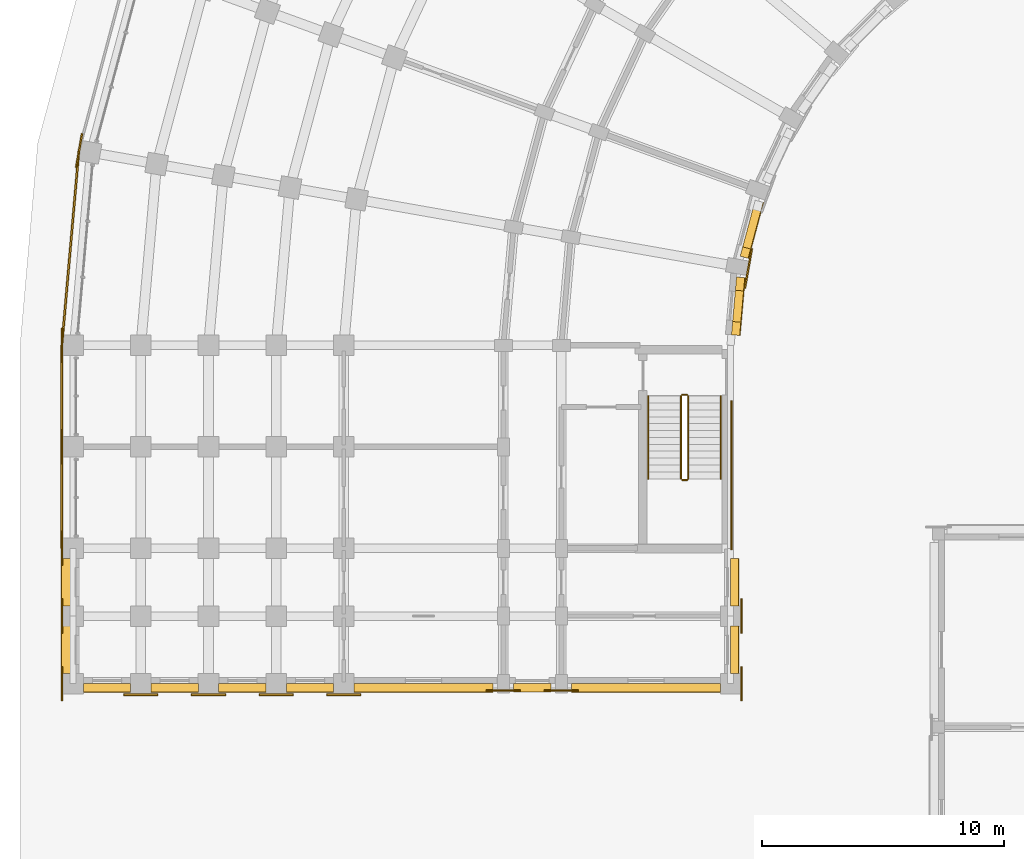
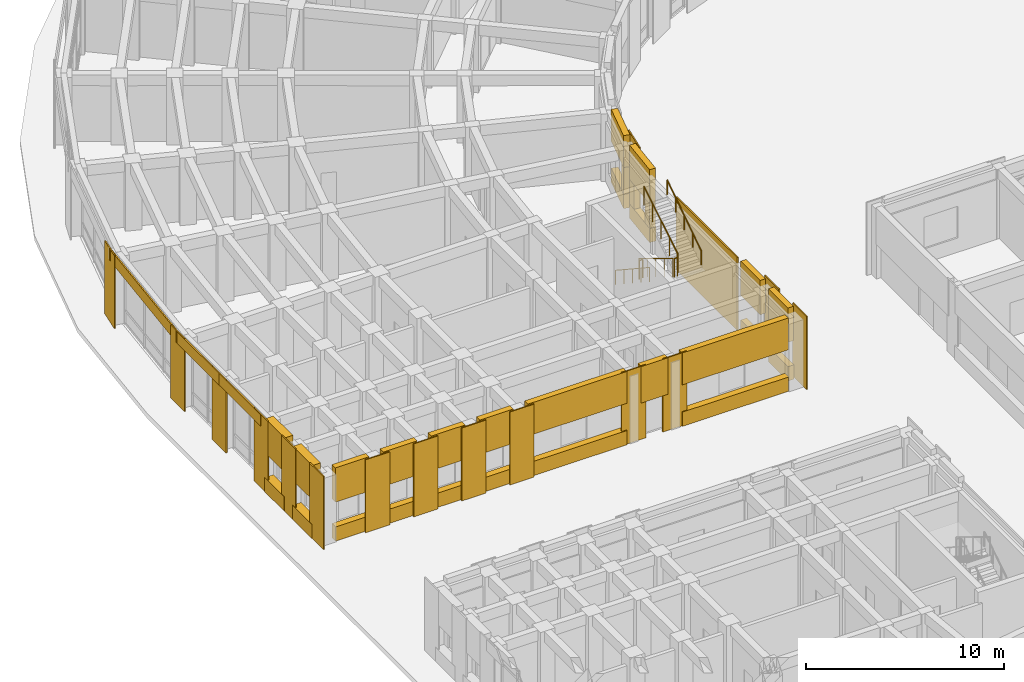
# One storey, part 123 of 135: 47 coverings, 6 railings.
"""IFC4 building model written with IfcOpenShell, lengths in metres."""

import ifcopenshell
import ifcopenshell.guid

model = None  # the IFC model being written
_history = None  # IfcOwnerHistory: only IFC2X3 demands one
_inside = {}  # id of a spatial element -> (the spatial element, [elements in it])
_under = {}  # id of a project, library or spatial element -> (it, [spatial elements below it])
_declared = {}  # id of a project -> (the project, [libraries it declares])
_typed = {}  # id of a type object -> (the type object, [elements of that type])
_made_of = {}  # id of a material, layer set ... -> (it, [elements and type objects made of it])


def new_model(schema):
    """Start an empty IFC model of exactly this schema.

    Asked for "IFC4X3", IfcOpenShell would pick the latest addendum, in which some entities
    have other attributes; the version numbers below select the first issue.
    IFC2X3 requires an IfcOwnerHistory on every rooted entity: one is made here for all.
    """
    global model, _history
    if schema == "IFC4X3":
        model = ifcopenshell.file(schema_version=(4, 3, 0, 0))
    else:
        model = ifcopenshell.file(schema=schema)
    _inside.clear()
    _under.clear()
    _declared.clear()
    _typed.clear()
    _made_of.clear()
    _history = None
    if model.schema == "IFC2X3":
        org = make("IfcOrganization", Name="unknown")
        user = make(
            "IfcPersonAndOrganization",
            ThePerson=make("IfcPerson", FamilyName="unknown"),
            TheOrganization=org,
        )
        app = make(
            "IfcApplication",
            ApplicationDeveloper=org,
            Version="unknown",
            ApplicationFullName="unknown",
            ApplicationIdentifier="unknown",
        )
        _history = make(
            "IfcOwnerHistory",
            OwningUser=user,
            OwningApplication=app,
            ChangeAction="ADDED",
            CreationDate=0,
        )
    return model


def make(cls, **values):
    """One entity of the class cls with the attributes given. An attribute that is None is left unset."""
    return model.create_entity(
        cls, **{name: value for name, value in values.items() if value is not None}
    )


def rooted(cls, **values):
    """An entity with a GlobalId (a new one), such as an element, a storey or a relation."""
    return make(cls, GlobalId=ifcopenshell.guid.new(), OwnerHistory=_history, **values)


def si_unit(unit_type, name, prefix=None):
    """IfcSIUnit, for example si_unit("LENGTHUNIT", "METRE", prefix="MILLI")."""
    return make("IfcSIUnit", UnitType=unit_type, Prefix=prefix, Name=name)


def assignment(units):
    """IfcUnitAssignment: the units of a project."""
    return None if units is None else make("IfcUnitAssignment", Units=units)


def point(xyz):
    """IfcCartesianPoint."""
    return None if xyz is None else make("IfcCartesianPoint", Coordinates=xyz)


def direction(xyz):
    """IfcDirection."""
    return None if xyz is None else make("IfcDirection", DirectionRatios=xyz)


def frame(location, z_axis=None, x_axis=None):
    """IfcAxis2Placement3D, a coordinate frame: its origin and axes. An axis left out is left unset."""
    return make(
        "IfcAxis2Placement3D",
        Location=point(location),
        Axis=direction(z_axis),
        RefDirection=direction(x_axis),
    )


def frame_2d(location, x_axis=None):
    """IfcAxis2Placement2D, a coordinate frame in the plane: its origin and x axis."""
    return make(
        "IfcAxis2Placement2D", Location=point(location), RefDirection=direction(x_axis)
    )


def origin():
    """The frame at (0, 0, 0) with its axes left unset."""
    return frame((0.0, 0.0, 0.0))


def origin_2d():
    """The frame at (0, 0) in the plane with its x axis left unset."""
    return frame_2d((0.0, 0.0))


def place(relative_to, where):
    """IfcLocalPlacement: puts the frame where relative to a parent placement (None: the world)."""
    return make(
        "IfcLocalPlacement", PlacementRelTo=relative_to, RelativePlacement=where
    )


def context(
    kind, dimensions, precision=None, world=None, true_north=None, identifier=None
):
    """IfcGeometricRepresentationContext, for example the 3D "Model" context."""
    return make(
        "IfcGeometricRepresentationContext",
        ContextIdentifier=identifier,
        ContextType=kind,
        CoordinateSpaceDimension=dimensions,
        Precision=precision,
        WorldCoordinateSystem=world,
        TrueNorth=true_north,
    )


def subcontext(parent, identifier, kind, view, scale=None):
    """IfcGeometricRepresentationSubContext, for example "Body" below "Model"."""
    return make(
        "IfcGeometricRepresentationSubContext",
        ContextIdentifier=identifier,
        ContextType=kind,
        ParentContext=parent,
        TargetScale=scale,
        TargetView=view,
    )


def project(units=None, contexts=None):
    """IfcProject with its units and contexts."""
    return rooted(
        "IfcProject",
        Name="project",
        RepresentationContexts=contexts,
        UnitsInContext=assignment(units),
    )


def spatial(cls, under=None, at=None, **own):
    """A site, building, storey or space (cls), placed at a placement, below another one or the project."""
    s = rooted(cls, ObjectPlacement=at, **own)
    if under is not None:
        _under.setdefault(under.id(), (under, []))[1].append(s)
    return s


def polyline(points):
    """IfcPolyline through the points."""
    return make("IfcPolyline", Points=[point(p) for p in points])


def profile(cls, at=None, kind="AREA", **sizes):
    """A parametric profile (cls). Its sizes go by their IFC names, for example OverallWidth=200.0."""
    return make(cls, ProfileType=kind, Position=at, **sizes)


def circle(**sizes):
    """IfcCircleProfileDef."""
    return profile("IfcCircleProfileDef", **sizes)


def outline(outer, holes=None, kind="AREA"):
    """IfcArbitraryClosedProfileDef: a profile drawn as a closed curve; with holes, ...WithVoids."""
    if holes is None:
        return make("IfcArbitraryClosedProfileDef", ProfileType=kind, OuterCurve=outer)
    return make(
        "IfcArbitraryProfileDefWithVoids",
        ProfileType=kind,
        OuterCurve=outer,
        InnerCurves=holes,
    )


def extrude(swept, where, along, depth):
    """IfcExtrudedAreaSolid: the profile swept, set in the frame where, extruded along a direction by depth."""
    return make(
        "IfcExtrudedAreaSolid",
        SweptArea=swept,
        Position=where,
        ExtrudedDirection=direction(along),
        Depth=depth,
    )


def shape(context_of_items, identifier, shape_type, items):
    """IfcShapeRepresentation: the items that make up one representation, for example the "Body"."""
    return make(
        "IfcShapeRepresentation",
        ContextOfItems=context_of_items,
        RepresentationIdentifier=identifier,
        RepresentationType=shape_type,
        Items=items,
    )


def material(Name=None, Category=None):
    """IfcMaterial."""
    return make("IfcMaterial", Name=Name, Category=Category)


def layer(
    of_material, thickness, ventilated=None, Name=None, Category=None, Priority=None
):
    """IfcMaterialLayer: one layer of a wall or slab, of a material (None: an air gap)."""
    return make(
        "IfcMaterialLayer",
        Material=of_material,
        LayerThickness=thickness,
        IsVentilated=ventilated,
        Name=Name,
        Category=Category,
        Priority=Priority,
    )


def layer_set(layers, Name=None):
    """IfcMaterialLayerSet."""
    return make("IfcMaterialLayerSet", MaterialLayers=layers, LayerSetName=Name)


def made_of(thing, what):
    """Note that an element or type object is made of a material, layer set ...; save() writes the relation."""
    if what is not None:
        _made_of.setdefault(what.id(), (what, []))[1].append(thing)
    return thing


def type_object(cls, material=None, **own):
    """A type object (cls), such as IfcWallType, which elements share."""
    return made_of(rooted(cls, **own), material)


def element(
    cls,
    number,
    at=None,
    inside=None,
    cuts=None,
    type_object=None,
    material=None,
    context=None,
    identifier="Body",
    shape_type=None,
    held_by="IfcProductDefinitionShape",
    body=None,
    shapes=None,
    **own,
):
    """One element of the class cls, such as IfcWall. Its Tag is "e" and its number.

    at: its placement. inside: the storey or other place that contains it. cuts: it is an
    opening in that element (IfcRelVoidsElement). A single representation is given by context,
    identifier, shape_type and body (its items); several are given by shapes. held_by: the class
    of the entity that holds the representations. save() writes the other relations.
    """
    e = rooted(cls, Tag="e%d" % number, ObjectPlacement=at, **own)
    if body is not None:
        shapes = [shape(context, identifier, shape_type, body)]
    if shapes is not None:
        e.Representation = make(held_by, Representations=shapes)
    if inside is not None:
        _inside.setdefault(inside.id(), (inside, []))[1].append(e)
    if cuts is not None:
        rooted(
            "IfcRelVoidsElement", RelatingBuildingElement=cuts, RelatedOpeningElement=e
        )
    if type_object is not None:
        _typed.setdefault(type_object.id(), (type_object, []))[1].append(e)
    return made_of(e, material)


def aggregate(whole, parts):
    """IfcRelAggregates: a whole, such as a stair, and the parts it consists of."""
    return rooted("IfcRelAggregates", RelatingObject=whole, RelatedObjects=parts)


def save(model, path):
    """Write the relations noted so far, then the file.

    IfcRelAggregates (storeys below a building ...), IfcRelContainedInSpatialStructure (elements
    in a storey), IfcRelDefinesByType, IfcRelAssociatesMaterial and IfcRelDeclares: one each for
    every whole, place, type object, material and project.
    """
    for whole, parts in _under.values():
        aggregate(whole, parts)
    for where, things in _inside.values():
        rooted(
            "IfcRelContainedInSpatialStructure",
            RelatedElements=things,
            RelatingStructure=where,
        )
    for kind, things in _typed.values():
        rooted("IfcRelDefinesByType", RelatedObjects=things, RelatingType=kind)
    for what, things in _made_of.values():
        rooted("IfcRelAssociatesMaterial", RelatedObjects=things, RelatingMaterial=what)
    for by, libraries in _declared.values():
        rooted("IfcRelDeclares", RelatingContext=by, RelatedDefinitions=libraries)
    model.write(path)


model = new_model("IFC4")

# Units and contexts
model_context = context("Model", 3, precision=1e-05, world=origin(), true_north=direction((0.0, 1.0)))
body_context = subcontext(model_context, "Body", "Model", "MODEL_VIEW")
ifc_project = project(units=[si_unit("LENGTHUNIT", "METRE"), si_unit("AREAUNIT", "SQUARE_METRE"), si_unit("VOLUMEUNIT", "CUBIC_METRE"), si_unit("PLANEANGLEUNIT", "RADIAN"), si_unit("MASSUNIT", "GRAM", prefix="KILO")], contexts=[model_context])

# Site, building, storey
site_placement = place(None, origin())
site = spatial("IfcSite", under=ifc_project, at=site_placement, CompositionType="ELEMENT")
building_placement = place(site_placement, origin())
building = spatial("IfcBuilding", under=site, at=building_placement, Name="Kiranvali Square Residences", CompositionType="ELEMENT")
storey_placement = place(building_placement, origin())
storey = spatial("IfcBuildingStorey", under=building, at=storey_placement, Name="L00", CompositionType="ELEMENT", Elevation=0.0)

# Coverings
ifc_material_1 = material(Name="Honed Porbandar limestone ashlar facade cladding", Category="masonry")
ifc_layer_1 = layer(ifc_material_1, 0.3798828125)
ifc_layer_set_1 = layer_set([ifc_layer_1], Name="Honed Porbandar limestone ashlar facade cladding")
covering_type_1 = type_object("IfcCoveringType", Name="COV-CLAD-JAMB", PredefinedType="CLADDING", material=ifc_layer_set_1)
covering_1_placement = place(storey_placement, frame((0.0, 0.0, 0.8798828125)))
element("IfcCovering", 1, at=covering_1_placement, inside=storey, type_object=covering_type_1, Name="L00 deep limestone window jamb reveal A-L00-GDN-07.R", PredefinedType="CLADDING", context=body_context, shape_type="SweptSolid", body=[
    extrude(outline(polyline([(29.903076171875, 91.87451171875), (29.800048828125, 91.489501953125), (30.1279296875, 91.401611328125), (30.23095703125, 91.78662109375), (29.903076171875, 91.87451171875)])), origin(), (0.0, 0.0, 1.0), 1.650146484375),
])
covering_2_placement = place(storey_placement, frame((0.0, 0.0, 0.8798828125)))
element("IfcCovering", 2, at=covering_2_placement, inside=storey, type_object=covering_type_1, Name="L00 deep limestone window jamb reveal A-L00-GDN-08.L", PredefinedType="CLADDING", context=body_context, shape_type="SweptSolid", body=[
    extrude(outline(polyline([(29.647705078125, 90.626220703125), (29.599853515625, 90.079833984375), (29.938232421875, 90.05029296875), (29.986083984375, 90.5966796875), (29.647705078125, 90.626220703125)])), origin(), (0.0, 0.0, 1.0), 1.5),
])
covering_3_placement = place(storey_placement, frame((0.0, 0.0, 0.8798828125)))
element("IfcCovering", 3, at=covering_3_placement, inside=storey, type_object=covering_type_1, Name="L00 deep limestone window jamb reveal A-L00-GDN-08.R", PredefinedType="CLADDING", context=body_context, shape_type="SweptSolid", body=[
    extrude(outline(polyline([(29.486572265625, 88.78466796875), (29.43896484375, 88.23828125), (29.777099609375, 88.208740234375), (29.824951171875, 88.755126953125), (29.486572265625, 88.78466796875)])), origin(), (0.0, 0.0, 1.0), 1.5),
])
ifc_layer_2 = layer(ifc_material_1, 0.06494140625)
ifc_layer_set_2 = layer_set([ifc_layer_2], Name="Honed Porbandar limestone ashlar facade cladding")
covering_type_2 = type_object("IfcCoveringType", Name="COV-CLAD-PIER", PredefinedType="CLADDING", material=ifc_layer_set_2)
covering_4_placement = place(storey_placement, frame((0.0, 0.0, 0.0048828125)))
element("IfcCovering", 4, at=covering_4_placement, inside=storey, type_object=covering_type_2, Name="Block A L00 Arm 2 stair limestone ashlar cladding", PredefinedType="CLADDING", context=body_context, shape_type="SweptSolid", body=[
    extrude(outline(polyline([(29.402099609375, 85.5), (29.402099609375, 79.35009765625), (29.47998046875, 79.35009765625), (29.47998046875, 85.5), (29.402099609375, 85.5)])), origin(), (0.0, 0.0, 1.0), 4.490234375),
])
ifc_layer_3 = layer(ifc_material_1, 0.050048828125)
ifc_layer_set_3 = layer_set([ifc_layer_3], Name="Honed Porbandar limestone ashlar facade cladding")
covering_type_3 = type_object("IfcCoveringType", Name="COV-CLAD-PIER-IN", PredefinedType="CLADDING", material=ifc_layer_set_3)
covering_5_placement = place(storey_placement, frame((0.0, 0.0, 0.0048828125)))
element("IfcCovering", 5, at=covering_5_placement, inside=storey, type_object=covering_type_3, Name="L00 Classical garden courtyard pilaster CLAD-PRIN-A-L00-A08", PredefinedType="CLADDING", context=body_context, shape_type="SweptSolid", body=[
    extrude(outline(polyline([(30.02783203125, 90.16650390625), (30.314453125, 91.79150390625), (30.247802734375, 91.80322265625), (29.96142578125, 90.17822265625), (30.02783203125, 90.16650390625)])), origin(), (0.0, 0.0, 1.0), 4.490234375),
])
covering_6_placement = place(storey_placement, frame((0.0, 0.0, 0.0048828125)))
element("IfcCovering", 6, at=covering_6_placement, inside=storey, type_object=covering_type_3, Name="L00 Classical limestone pilaster casing CLAD-PRA2I-A-L00-V112", PredefinedType="CLADDING", context=body_context, shape_type="SweptSolid", body=[
    extrude(outline(polyline([(29.825439453125, 77.304931640625), (29.825439453125, 75.89501953125), (29.89306640625, 75.89501953125), (29.89306640625, 77.304931640625), (29.825439453125, 77.304931640625)])), origin(), (0.0, 0.0, 1.0), 4.490234375),
])
covering_7_placement = place(storey_placement, frame((0.0, 0.0, 0.0048828125)))
element("IfcCovering", 7, at=covering_7_placement, inside=storey, type_object=covering_type_3, Name="L00 Classical limestone pilaster casing CLAD-PRA2I-A-L00-V140", PredefinedType="CLADDING", context=body_context, shape_type="SweptSolid", body=[
    extrude(outline(polyline([(29.825439453125, 74.5048828125), (29.825439453125, 73.094970703125), (29.89306640625, 73.094970703125), (29.89306640625, 74.5048828125), (29.825439453125, 74.5048828125)])), origin(), (0.0, 0.0, 1.0), 4.490234375),
])
ifc_layer_4 = layer(ifc_material_1, 0.054931640625)
ifc_layer_set_4 = layer_set([ifc_layer_4], Name="Honed Porbandar limestone ashlar facade cladding")
covering_type_4 = type_object("IfcCoveringType", Name="COV-CLAD-PIER-UP", PredefinedType="CLADDING", material=ifc_layer_set_4)
covering_8_placement = place(storey_placement, frame((0.0, 0.0, 0.0048828125)))
element("IfcCovering", 8, at=covering_8_placement, inside=storey, type_object=covering_type_4, Name="L00 Classical limestone pilaster casing CLAD-PRA2E-A-L00-R258", PredefinedType="CLADDING", context=body_context, shape_type="SweptSolid", body=[
    extrude(outline(polyline([(23.10498046875, 73.549560546875), (21.695068359375, 73.549560546875), (21.695068359375, 73.48193359375), (23.10498046875, 73.48193359375), (23.10498046875, 73.549560546875)])), origin(), (0.0, 0.0, 1.0), 4.490234375),
])
covering_9_placement = place(storey_placement, frame((0.0, 0.0, 0.0048828125)))
element("IfcCovering", 9, at=covering_9_placement, inside=storey, type_object=covering_type_4, Name="L00 Classical limestone pilaster casing CLAD-PRA2E-A-L00-R282", PredefinedType="CLADDING", context=body_context, shape_type="SweptSolid", body=[
    extrude(outline(polyline([(20.705078125, 73.549560546875), (19.294921875, 73.549560546875), (19.294921875, 73.48193359375), (20.705078125, 73.48193359375), (20.705078125, 73.549560546875)])), origin(), (0.0, 0.0, 1.0), 4.490234375),
])
covering_10_placement = place(storey_placement, frame((0.0, 0.0, 0.0048828125)))
element("IfcCovering", 10, at=covering_10_placement, inside=storey, type_object=covering_type_4, Name="L00 Classical limestone pilaster casing CLAD-PRA2E-A-L00-R348", PredefinedType="CLADDING", context=body_context, shape_type="SweptSolid", body=[
    extrude(outline(polyline([(14.10498046875, 73.37451171875), (12.695068359375, 73.37451171875), (12.695068359375, 73.306884765625), (14.10498046875, 73.306884765625), (14.10498046875, 73.37451171875)])), origin(), (0.0, 0.0, 1.0), 4.490234375),
])
covering_11_placement = place(storey_placement, frame((0.0, 0.0, 0.0048828125)))
element("IfcCovering", 11, at=covering_11_placement, inside=storey, type_object=covering_type_4, Name="L00 Classical limestone pilaster casing CLAD-PRA2E-A-L00-R376", PredefinedType="CLADDING", context=body_context, shape_type="SweptSolid", body=[
    extrude(outline(polyline([(11.304931640625, 73.37451171875), (9.89501953125, 73.37451171875), (9.89501953125, 73.306884765625), (11.304931640625, 73.306884765625), (11.304931640625, 73.37451171875)])), origin(), (0.0, 0.0, 1.0), 4.490234375),
])
covering_12_placement = place(storey_placement, frame((0.0, 0.0, 0.0048828125)))
element("IfcCovering", 12, at=covering_12_placement, inside=storey, type_object=covering_type_4, Name="L00 Classical limestone pilaster casing CLAD-PRA2E-A-L00-R404", PredefinedType="CLADDING", context=body_context, shape_type="SweptSolid", body=[
    extrude(outline(polyline([(8.5048828125, 73.37451171875), (7.094970703125, 73.37451171875), (7.094970703125, 73.306884765625), (8.5048828125, 73.306884765625), (8.5048828125, 73.37451171875)])), origin(), (0.0, 0.0, 1.0), 4.490234375),
])
covering_13_placement = place(storey_placement, frame((0.0, 0.0, 0.0048828125)))
element("IfcCovering", 13, at=covering_13_placement, inside=storey, type_object=covering_type_4, Name="L00 Classical limestone pilaster casing CLAD-PRA2E-A-L00-R432", PredefinedType="CLADDING", context=body_context, shape_type="SweptSolid", body=[
    extrude(outline(polyline([(5.705078125, 73.37451171875), (4.294921875, 73.37451171875), (4.294921875, 73.306884765625), (5.705078125, 73.306884765625), (5.705078125, 73.37451171875)])), origin(), (0.0, 0.0, 1.0), 4.490234375),
])
ifc_material_2 = material(Name="Alternating Deccan basalt and Porbandar limestone rusticated plinth ashlar", Category="masonry")
ifc_layer_5 = layer(ifc_material_2, 0.0849609375)
ifc_layer_set_5 = layer_set([ifc_layer_5], Name="Alternating Deccan basalt and Porbandar limestone rusticated plinth ashlar")
covering_type_5 = type_object("IfcCoveringType", Name="COV-CLAD-PLINTH", PredefinedType="CLADDING", material=ifc_layer_set_5)
covering_14_placement = place(storey_placement, frame((0.0, 0.0, 0.0048828125)))
element("IfcCovering", 14, at=covering_14_placement, inside=storey, type_object=covering_type_5, Name="L00 rusticated Ottoman arcade pier CLAD-PR-A-L00-A08", PredefinedType="CLADDING", context=body_context, shape_type="SweptSolid", body=[
    extrude(outline(polyline([(2.53564453125, 96.567626953125), (2.291015625, 95.17919921875), (2.357421875, 95.16748046875), (2.602294921875, 96.555908203125), (2.53564453125, 96.567626953125)])), origin(), (0.0, 0.0, 1.0), 4.490234375),
])
covering_15_placement = place(storey_placement, frame((0.0, 0.0, 0.0048828125)))
element("IfcCovering", 15, at=covering_15_placement, inside=storey, type_object=covering_type_5, Name="L00 rusticated Ottoman arcade pier CLAD-PR-A-L00-A09", PredefinedType="CLADDING", context=body_context, shape_type="SweptSolid", body=[
    extrude(outline(polyline([(1.70703125, 88.5048828125), (1.70703125, 87.094970703125), (1.7744140625, 87.094970703125), (1.7744140625, 88.5048828125), (1.70703125, 88.5048828125)])), origin(), (0.0, 0.0, 1.0), 4.490234375),
])
covering_16_placement = place(storey_placement, frame((0.0, 0.0, 0.0048828125)))
element("IfcCovering", 16, at=covering_16_placement, inside=storey, type_object=covering_type_5, Name="L00 Classical limestone pilaster casing CLAD-PR-A-L00-V42", PredefinedType="CLADDING", context=body_context, shape_type="SweptSolid", body=[
    extrude(outline(polyline([(1.70703125, 84.304931640625), (1.70703125, 82.89501953125), (1.7744140625, 82.89501953125), (1.7744140625, 84.304931640625), (1.70703125, 84.304931640625)])), origin(), (0.0, 0.0, 1.0), 4.490234375),
])
covering_17_placement = place(storey_placement, frame((0.0, 0.0, 0.0048828125)))
element("IfcCovering", 17, at=covering_17_placement, inside=storey, type_object=covering_type_5, Name="L00 Classical limestone pilaster casing CLAD-PR-A-L00-V84", PredefinedType="CLADDING", context=body_context, shape_type="SweptSolid", body=[
    extrude(outline(polyline([(1.70703125, 80.10498046875), (1.70703125, 78.695068359375), (1.7744140625, 78.695068359375), (1.7744140625, 80.10498046875), (1.70703125, 80.10498046875)])), origin(), (0.0, 0.0, 1.0), 4.490234375),
])
covering_18_placement = place(storey_placement, frame((0.0, 0.0, 0.0048828125)))
element("IfcCovering", 18, at=covering_18_placement, inside=storey, type_object=covering_type_5, Name="L00 Classical limestone pilaster casing CLAD-PR-A-L00-V112", PredefinedType="CLADDING", context=body_context, shape_type="SweptSolid", body=[
    extrude(outline(polyline([(1.70703125, 77.304931640625), (1.70703125, 75.89501953125), (1.7744140625, 75.89501953125), (1.7744140625, 77.304931640625), (1.70703125, 77.304931640625)])), origin(), (0.0, 0.0, 1.0), 4.490234375),
])
covering_19_placement = place(storey_placement, frame((0.0, 0.0, 0.0048828125)))
element("IfcCovering", 19, at=covering_19_placement, inside=storey, type_object=covering_type_5, Name="L00 Classical limestone pilaster casing CLAD-PR-A-L00-V140", PredefinedType="CLADDING", context=body_context, shape_type="SweptSolid", body=[
    extrude(outline(polyline([(1.70703125, 74.5048828125), (1.70703125, 73.094970703125), (1.7744140625, 73.094970703125), (1.7744140625, 74.5048828125), (1.70703125, 74.5048828125)])), origin(), (0.0, 0.0, 1.0), 4.490234375),
])
ifc_layer_6 = layer(ifc_material_1, 0.360107421875)
ifc_layer_set_6 = layer_set([ifc_layer_6], Name="Honed Porbandar limestone ashlar facade cladding")
covering_type_6 = type_object("IfcCoveringType", Name="COV-CLAD-WALL", PredefinedType="CLADDING", material=ifc_layer_set_6)
covering_20_placement = place(storey_placement, frame((0.0, 0.0, 3.780029296875)))
element("IfcCovering", 20, at=covering_20_placement, inside=storey, type_object=covering_type_6, Name="Block A L00 Classical Ottoman arcade entablature 9", PredefinedType="CLADDING", context=body_context, shape_type="SweptSolid", body=[
    extrude(outline(polyline([(2.395751953125, 95.831787109375), (1.697021484375, 87.843994140625), (1.774658203125, 87.837158203125), (2.473388671875, 95.824951171875), (2.395751953125, 95.831787109375)])), origin(), (0.0, 0.0, 1.0), 0.715087890625),
])
covering_21_placement = place(storey_placement, frame((0.0, 0.0, 2.530029296875)))
element("IfcCovering", 21, at=covering_21_placement, inside=storey, type_object=covering_type_6, Name="L00 light limestone spandrel lintel A-L00-GDN-07", PredefinedType="CLADDING", context=body_context, shape_type="SweptSolid", body=[
    extrude(outline(polyline([(30.42041015625, 93.804931640625), (29.800048828125, 91.489501953125), (30.1279296875, 91.401611328125), (30.748291015625, 93.717041015625), (30.42041015625, 93.804931640625)])), origin(), (0.0, 0.0, 1.0), 1.965087890625),
])
covering_22_placement = place(storey_placement, frame((0.0, 0.0, 2.3798828125)))
element("IfcCovering", 22, at=covering_22_placement, inside=storey, type_object=covering_type_6, Name="L00 light limestone spandrel lintel A-L00-GDN-08", PredefinedType="CLADDING", context=body_context, shape_type="SweptSolid", body=[
    extrude(outline(polyline([(29.647705078125, 90.626220703125), (29.43896484375, 88.23828125), (29.777099609375, 88.208740234375), (29.986083984375, 90.5966796875), (29.647705078125, 90.626220703125)])), origin(), (0.0, 0.0, 1.0), 2.115234375),
])
covering_23_placement = place(storey_placement, frame((0.0, 0.0, 3.780029296875)))
element("IfcCovering", 23, at=covering_23_placement, inside=storey, type_object=covering_type_6, Name="Block A L00 Arm 2 street arcade cornice 1", PredefinedType="CLADDING", context=body_context, shape_type="SweptSolid", body=[
    extrude(outline(polyline([(1.695068359375, 87.800048828125), (1.695068359375, 83.60009765625), (1.77294921875, 83.60009765625), (1.77294921875, 87.800048828125), (1.695068359375, 87.800048828125)])), origin(), (0.0, 0.0, 1.0), 0.715087890625),
])
covering_24_placement = place(storey_placement, frame((0.0, 0.0, 3.780029296875)))
element("IfcCovering", 24, at=covering_24_placement, inside=storey, type_object=covering_type_6, Name="Block A L00 Arm 2 street arcade cornice 2", PredefinedType="CLADDING", context=body_context, shape_type="SweptSolid", body=[
    extrude(outline(polyline([(1.695068359375, 83.60009765625), (1.695068359375, 79.39990234375), (1.77294921875, 79.39990234375), (1.77294921875, 83.60009765625), (1.695068359375, 83.60009765625)])), origin(), (0.0, 0.0, 1.0), 0.715087890625),
])
covering_25_placement = place(storey_placement, frame((0.0, 0.0, 2.3798828125)))
element("IfcCovering", 25, at=covering_25_placement, inside=storey, type_object=covering_type_6, Name="L00 light limestone spandrel lintel A-L00-A2O-2", PredefinedType="CLADDING", context=body_context, shape_type="SweptSolid", body=[
    extrude(outline(polyline([(1.72509765625, 78.97998046875), (1.72509765625, 77.02001953125), (2.199462890625, 77.02001953125), (2.199462890625, 78.97998046875), (1.72509765625, 78.97998046875)])), origin(), (0.0, 0.0, 1.0), 2.115234375),
])
covering_26_placement = place(storey_placement, frame((0.0, 0.0, 0.0048828125)))
element("IfcCovering", 26, at=covering_26_placement, inside=storey, type_object=covering_type_6, Name="L00 limestone window sill apron A-L00-A2O-2", PredefinedType="CLADDING", context=body_context, shape_type="SweptSolid", body=[
    extrude(outline(polyline([(1.695068359375, 78.97998046875), (1.695068359375, 77.02001953125), (2.199462890625, 77.02001953125), (2.199462890625, 78.97998046875), (1.695068359375, 78.97998046875)])), origin(), (0.0, 0.0, 1.0), 0.875),
])
covering_27_placement = place(storey_placement, frame((0.0, 0.0, 2.3798828125)))
element("IfcCovering", 27, at=covering_27_placement, inside=storey, type_object=covering_type_6, Name="L00 light limestone spandrel lintel A-L00-A2O-3", PredefinedType="CLADDING", context=body_context, shape_type="SweptSolid", body=[
    extrude(outline(polyline([(1.72509765625, 76.179931640625), (1.72509765625, 74.219970703125), (2.199462890625, 74.219970703125), (2.199462890625, 76.179931640625), (1.72509765625, 76.179931640625)])), origin(), (0.0, 0.0, 1.0), 2.115234375),
])
covering_28_placement = place(storey_placement, frame((0.0, 0.0, 0.0048828125)))
element("IfcCovering", 28, at=covering_28_placement, inside=storey, type_object=covering_type_6, Name="L00 limestone window sill apron A-L00-A2O-3", PredefinedType="CLADDING", context=body_context, shape_type="SweptSolid", body=[
    extrude(outline(polyline([(1.695068359375, 76.179931640625), (1.695068359375, 74.219970703125), (2.199462890625, 74.219970703125), (2.199462890625, 76.179931640625), (1.695068359375, 76.179931640625)])), origin(), (0.0, 0.0, 1.0), 0.875),
])
covering_29_placement = place(storey_placement, frame((0.0, 0.0, 2.3798828125)))
element("IfcCovering", 29, at=covering_29_placement, inside=storey, type_object=covering_type_6, Name="L00 light limestone spandrel lintel A-L00-A2I-0", PredefinedType="CLADDING", context=body_context, shape_type="SweptSolid", body=[
    extrude(outline(polyline([(29.400390625, 78.97998046875), (29.400390625, 77.02001953125), (29.719970703125, 77.02001953125), (29.719970703125, 78.97998046875), (29.400390625, 78.97998046875)])), origin(), (0.0, 0.0, 1.0), 2.115234375),
])
covering_30_placement = place(storey_placement, frame((0.0, 0.0, 0.0048828125)))
element("IfcCovering", 30, at=covering_30_placement, inside=storey, type_object=covering_type_6, Name="L00 limestone window sill apron A-L00-A2I-0", PredefinedType="CLADDING", context=body_context, shape_type="SweptSolid", body=[
    extrude(outline(polyline([(29.400390625, 78.97998046875), (29.400390625, 77.02001953125), (29.75, 77.02001953125), (29.75, 78.97998046875), (29.400390625, 78.97998046875)])), origin(), (0.0, 0.0, 1.0), 0.875),
])
covering_31_placement = place(storey_placement, frame((0.0, 0.0, 2.3798828125)))
element("IfcCovering", 31, at=covering_31_placement, inside=storey, type_object=covering_type_6, Name="L00 light limestone spandrel lintel A-L00-A2I-1", PredefinedType="CLADDING", context=body_context, shape_type="SweptSolid", body=[
    extrude(outline(polyline([(29.400390625, 76.179931640625), (29.400390625, 74.219970703125), (29.719970703125, 74.219970703125), (29.719970703125, 76.179931640625), (29.400390625, 76.179931640625)])), origin(), (0.0, 0.0, 1.0), 2.115234375),
])
covering_32_placement = place(storey_placement, frame((0.0, 0.0, 0.0048828125)))
element("IfcCovering", 32, at=covering_32_placement, inside=storey, type_object=covering_type_6, Name="L00 limestone window sill apron A-L00-A2I-1", PredefinedType="CLADDING", context=body_context, shape_type="SweptSolid", body=[
    extrude(outline(polyline([(29.400390625, 76.179931640625), (29.400390625, 74.219970703125), (29.75, 74.219970703125), (29.75, 76.179931640625), (29.400390625, 76.179931640625)])), origin(), (0.0, 0.0, 1.0), 0.875),
])
covering_33_placement = place(storey_placement, frame((0.0, 0.0, 2.530029296875)))
element("IfcCovering", 33, at=covering_33_placement, inside=storey, type_object=covering_type_6, Name="L00 light limestone spandrel lintel A-L00-A2END-0", PredefinedType="CLADDING", context=body_context, shape_type="SweptSolid", body=[
    extrude(outline(polyline([(28.97998046875, 73.799560546875), (22.820068359375, 73.799560546875), (22.820068359375, 73.4599609375), (28.97998046875, 73.4599609375), (28.97998046875, 73.799560546875)])), origin(), (0.0, 0.0, 1.0), 1.965087890625),
])
covering_34_placement = place(storey_placement, frame((0.0, 0.0, 0.0048828125)))
element("IfcCovering", 34, at=covering_34_placement, inside=storey, type_object=covering_type_6, Name="L00 limestone window sill apron A-L00-A2END-0", PredefinedType="CLADDING", context=body_context, shape_type="SweptSolid", body=[
    extrude(outline(polyline([(28.97998046875, 73.799560546875), (22.820068359375, 73.799560546875), (22.820068359375, 73.429931640625), (28.97998046875, 73.429931640625), (28.97998046875, 73.799560546875)])), origin(), (0.0, 0.0, 1.0), 0.875),
])
covering_35_placement = place(storey_placement, frame((0.0, 0.0, 2.25)))
element("IfcCovering", 35, at=covering_35_placement, inside=storey, type_object=covering_type_6, Name="L00 light limestone spandrel lintel A-L00-A2END-1", PredefinedType="CLADDING", context=body_context, shape_type="SweptSolid", body=[
    extrude(outline(polyline([(21.97998046875, 73.799560546875), (20.419921875, 73.799560546875), (20.419921875, 73.4599609375), (21.97998046875, 73.4599609375), (21.97998046875, 73.799560546875)])), origin(), (0.0, 0.0, 1.0), 2.2451171875),
])
covering_36_placement = place(storey_placement, frame((0.0, 0.0, 2.530029296875)))
element("IfcCovering", 36, at=covering_36_placement, inside=storey, type_object=covering_type_6, Name="L00 light limestone spandrel lintel A-L00-A2END-2", PredefinedType="CLADDING", context=body_context, shape_type="SweptSolid", body=[
    extrude(outline(polyline([(19.580078125, 73.799560546875), (13.820068359375, 73.799560546875), (13.820068359375, 73.4599609375), (19.580078125, 73.4599609375), (19.580078125, 73.799560546875)])), origin(), (0.0, 0.0, 1.0), 1.965087890625),
])
covering_37_placement = place(storey_placement, frame((0.0, 0.0, 0.0048828125)))
element("IfcCovering", 37, at=covering_37_placement, inside=storey, type_object=covering_type_6, Name="L00 limestone window sill apron A-L00-A2END-2", PredefinedType="CLADDING", context=body_context, shape_type="SweptSolid", body=[
    extrude(outline(polyline([(19.580078125, 73.799560546875), (13.820068359375, 73.799560546875), (13.820068359375, 73.429931640625), (19.580078125, 73.429931640625), (19.580078125, 73.799560546875)])), origin(), (0.0, 0.0, 1.0), 0.875),
])
covering_38_placement = place(storey_placement, frame((0.0, 0.0, 2.3798828125)))
element("IfcCovering", 38, at=covering_38_placement, inside=storey, type_object=covering_type_6, Name="L00 light limestone spandrel lintel A-L00-A2END-3", PredefinedType="CLADDING", context=body_context, shape_type="SweptSolid", body=[
    extrude(outline(polyline([(12.97998046875, 73.799560546875), (11.02001953125, 73.799560546875), (11.02001953125, 73.4599609375), (12.97998046875, 73.4599609375), (12.97998046875, 73.799560546875)])), origin(), (0.0, 0.0, 1.0), 2.115234375),
])
covering_39_placement = place(storey_placement, frame((0.0, 0.0, 0.0048828125)))
element("IfcCovering", 39, at=covering_39_placement, inside=storey, type_object=covering_type_6, Name="L00 limestone window sill apron A-L00-A2END-3", PredefinedType="CLADDING", context=body_context, shape_type="SweptSolid", body=[
    extrude(outline(polyline([(12.97998046875, 73.799560546875), (11.02001953125, 73.799560546875), (11.02001953125, 73.429931640625), (12.97998046875, 73.429931640625), (12.97998046875, 73.799560546875)])), origin(), (0.0, 0.0, 1.0), 0.875),
])
covering_40_placement = place(storey_placement, frame((0.0, 0.0, 2.3798828125)))
element("IfcCovering", 40, at=covering_40_placement, inside=storey, type_object=covering_type_6, Name="L00 light limestone spandrel lintel A-L00-A2END-4", PredefinedType="CLADDING", context=body_context, shape_type="SweptSolid", body=[
    extrude(outline(polyline([(10.179931640625, 73.799560546875), (8.219970703125, 73.799560546875), (8.219970703125, 73.4599609375), (10.179931640625, 73.4599609375), (10.179931640625, 73.799560546875)])), origin(), (0.0, 0.0, 1.0), 2.115234375),
])
covering_41_placement = place(storey_placement, frame((0.0, 0.0, 0.0048828125)))
element("IfcCovering", 41, at=covering_41_placement, inside=storey, type_object=covering_type_6, Name="L00 limestone window sill apron A-L00-A2END-4", PredefinedType="CLADDING", context=body_context, shape_type="SweptSolid", body=[
    extrude(outline(polyline([(10.179931640625, 73.799560546875), (8.219970703125, 73.799560546875), (8.219970703125, 73.429931640625), (10.179931640625, 73.429931640625), (10.179931640625, 73.799560546875)])), origin(), (0.0, 0.0, 1.0), 0.875),
])
covering_42_placement = place(storey_placement, frame((0.0, 0.0, 2.3798828125)))
element("IfcCovering", 42, at=covering_42_placement, inside=storey, type_object=covering_type_6, Name="L00 light limestone spandrel lintel A-L00-A2END-5", PredefinedType="CLADDING", context=body_context, shape_type="SweptSolid", body=[
    extrude(outline(polyline([(7.3798828125, 73.799560546875), (5.419921875, 73.799560546875), (5.419921875, 73.4599609375), (7.3798828125, 73.4599609375), (7.3798828125, 73.799560546875)])), origin(), (0.0, 0.0, 1.0), 2.115234375),
])
covering_43_placement = place(storey_placement, frame((0.0, 0.0, 0.0048828125)))
element("IfcCovering", 43, at=covering_43_placement, inside=storey, type_object=covering_type_6, Name="L00 limestone window sill apron A-L00-A2END-5", PredefinedType="CLADDING", context=body_context, shape_type="SweptSolid", body=[
    extrude(outline(polyline([(7.3798828125, 73.799560546875), (5.419921875, 73.799560546875), (5.419921875, 73.429931640625), (7.3798828125, 73.429931640625), (7.3798828125, 73.799560546875)])), origin(), (0.0, 0.0, 1.0), 0.875),
])
covering_44_placement = place(storey_placement, frame((0.0, 0.0, 2.3798828125)))
element("IfcCovering", 44, at=covering_44_placement, inside=storey, type_object=covering_type_6, Name="L00 light limestone spandrel lintel A-L00-A2END-6", PredefinedType="CLADDING", context=body_context, shape_type="SweptSolid", body=[
    extrude(outline(polyline([(4.580078125, 73.799560546875), (2.6201171875, 73.799560546875), (2.6201171875, 73.4599609375), (4.580078125, 73.4599609375), (4.580078125, 73.799560546875)])), origin(), (0.0, 0.0, 1.0), 2.115234375),
])
covering_45_placement = place(storey_placement, frame((0.0, 0.0, 0.0048828125)))
element("IfcCovering", 45, at=covering_45_placement, inside=storey, type_object=covering_type_6, Name="L00 limestone window sill apron A-L00-A2END-6", PredefinedType="CLADDING", context=body_context, shape_type="SweptSolid", body=[
    extrude(outline(polyline([(4.580078125, 73.799560546875), (2.6201171875, 73.799560546875), (2.6201171875, 73.429931640625), (4.580078125, 73.429931640625), (4.580078125, 73.799560546875)])), origin(), (0.0, 0.0, 1.0), 0.875),
])
ifc_layer_7 = layer(ifc_material_1, 0.2900390625)
ifc_layer_set_7 = layer_set([ifc_layer_7], Name="Honed Porbandar limestone ashlar facade cladding")
covering_type_7 = type_object("IfcCoveringType", Name="COV-CLAD-WALL-IN", PredefinedType="CLADDING", material=ifc_layer_set_7)
covering_46_placement = place(storey_placement, frame((0.0, 0.0, 0.0048828125)))
element("IfcCovering", 46, at=covering_46_placement, inside=storey, type_object=covering_type_7, Name="L00 limestone window sill apron A-L00-GDN-07", PredefinedType="CLADDING", context=body_context, shape_type="SweptSolid", body=[
    extrude(outline(polyline([(30.42041015625, 93.804931640625), (29.800048828125, 91.489501953125), (30.156982421875, 91.393798828125), (30.77734375, 93.709228515625), (30.42041015625, 93.804931640625)])), origin(), (0.0, 0.0, 1.0), 0.875),
])
covering_47_placement = place(storey_placement, frame((0.0, 0.0, 0.0048828125)))
element("IfcCovering", 47, at=covering_47_placement, inside=storey, type_object=covering_type_7, Name="L00 limestone window sill apron A-L00-GDN-08", PredefinedType="CLADDING", context=body_context, shape_type="SweptSolid", body=[
    extrude(outline(polyline([(29.647705078125, 90.626220703125), (29.43896484375, 88.23828125), (29.806884765625, 88.2060546875), (30.015869140625, 90.593994140625), (29.647705078125, 90.626220703125)])), origin(), (0.0, 0.0, 1.0), 0.875),
])

# Railings
ifc_material_3 = material(Name="Brushed stainless steel tubular handrail", Category="steel")
railing_type_1 = type_object("IfcRailingType", Name="RL-HANDRAIL-900", PredefinedType="HANDRAIL", material=ifc_material_3)
railing_1_placement = place(storey_placement, frame((26.0, 85.699951171875, 0.173095703125)))
element("IfcRailing", 48, at=railing_1_placement, inside=storey, type_object=railing_type_1, Name="L00 ST-A3 stair handrail 1", PredefinedType="HANDRAIL", context=body_context, shape_type="SweptSolid", body=[
    extrude(circle(Radius=0.02392578125, at=origin_2d()), frame((0.0, 0.0, 0.8759765625), z_axis=(0.0, -0.835411317272, 0.549625264133), x_axis=(1.0, 0.0, 0.0)), (0.0, 0.0, 1.0), 4.09375),
    extrude(circle(Radius=0.02099609375, at=origin_2d()), origin(), (0.0, 0.0, 1.0), 0.851806640625),
    extrude(circle(Radius=0.02099609375, at=origin_2d()), frame((0.0, -0.85498046875, 0.5625)), (0.0, 0.0, 1.0), 0.851806640625),
    extrude(circle(Radius=0.02099609375, at=origin_2d()), frame((0.0, -1.7099609375, 1.125)), (0.0, 0.0, 1.0), 0.851806640625),
    extrude(circle(Radius=0.02099609375, at=origin_2d()), frame((0.0, -2.56494140625, 1.6875)), (0.0, 0.0, 1.0), 0.851806640625),
    extrude(circle(Radius=0.02099609375, at=origin_2d()), frame((0.0, -3.419921875, 2.25)), (0.0, 0.0, 1.0), 0.851806640625),
])
railing_2_placement = place(storey_placement, frame((29.0, 82.280029296875, 2.423095703125)))
element("IfcRailing", 49, at=railing_2_placement, inside=storey, type_object=railing_type_1, Name="L00 ST-A3 stair handrail 2", PredefinedType="HANDRAIL", context=body_context, shape_type="SweptSolid", body=[
    extrude(circle(Radius=0.02392578125, at=origin_2d()), frame((0.0, 0.0, 0.8759765625), z_axis=(0.0, 0.835411317272, 0.549625264133), x_axis=(-1.0, 0.0, 0.0)), (0.0, 0.0, 1.0), 4.09375),
    extrude(circle(Radius=0.02099609375, at=origin_2d()), origin(), (0.0, 0.0, 1.0), 0.851806640625),
    extrude(circle(Radius=0.02099609375, at=origin_2d()), frame((0.0, 0.85498046875, 0.5625)), (0.0, 0.0, 1.0), 0.851806640625),
    extrude(circle(Radius=0.02099609375, at=origin_2d()), frame((0.0, 1.7099609375, 1.125)), (0.0, 0.0, 1.0), 0.851806640625),
    extrude(circle(Radius=0.02099609375, at=origin_2d()), frame((0.0, 2.56494140625, 1.6875)), (0.0, 0.0, 1.0), 0.851806640625),
    extrude(circle(Radius=0.02099609375, at=origin_2d()), frame((0.0, 3.419921875, 2.25)), (0.0, 0.0, 1.0), 0.851806640625),
])
ifc_material_4 = material(Name="Powder-coated architectural bronze balustrade", Category="steel")
railing_type_2 = type_object("IfcRailingType", Name="RL-ST-GUARD-1200", PredefinedType="GUARDRAIL", material=ifc_material_4)
railing_3_placement = place(storey_placement, frame((27.35009765625, 85.699951171875, 0.173095703125)))
element("IfcRailing", 50, at=railing_3_placement, inside=storey, type_object=railing_type_2, Name="L00 ST-A3 stair guard 1", PredefinedType="GUARDRAIL", context=body_context, shape_type="SweptSolid", body=[
    extrude(circle(Radius=0.02392578125, at=origin_2d()), frame((0.0, 0.0, 1.1259765625), z_axis=(0.0, -0.854729506542, 0.519073665916), x_axis=(1.0, 0.0, 0.0)), (0.0, 0.0, 1.0), 4.001220703125),
    extrude(circle(Radius=0.02099609375, at=origin_2d()), origin(), (0.0, 0.0, 1.0), 1.101806640625),
    extrude(circle(Radius=0.02099609375, at=origin_2d()), frame((0.0, -0.85498046875, 0.519287109375)), (0.0, 0.0, 1.0), 1.101806640625),
    extrude(circle(Radius=0.02099609375, at=origin_2d()), frame((0.0, -1.7099609375, 1.03857421875)), (0.0, 0.0, 1.0), 1.101806640625),
    extrude(circle(Radius=0.02099609375, at=origin_2d()), frame((0.0, -2.56494140625, 1.5576171875)), (0.0, 0.0, 1.0), 1.101806640625),
    extrude(circle(Radius=0.02099609375, at=origin_2d()), frame((0.0, -3.419921875, 2.076904296875)), (0.0, 0.0, 1.0), 1.101806640625),
])
railing_4_placement = place(storey_placement, frame((27.39990234375, 82.22998046875, 2.25)))
element("IfcRailing", 51, at=railing_4_placement, inside=storey, type_object=railing_type_2, Name="L00 ST-A3 stair guard 2", PredefinedType="GUARDRAIL", context=body_context, shape_type="SweptSolid", body=[
    extrude(circle(Radius=0.02392578125, at=origin_2d()), frame((0.0, 0.0, 1.1259765625), z_axis=(1.0, 0.0, 0.0), x_axis=(0.0, 1.0, 0.0)), (0.0, 0.0, 1.0), 0.2001953125),
    extrude(circle(Radius=0.02099609375, at=origin_2d()), origin(), (0.0, 0.0, 1.0), 1.101806640625),
    extrude(circle(Radius=0.02099609375, at=origin_2d()), frame((0.2001953125, 0.0, 0.0)), (0.0, 0.0, 1.0), 1.101806640625),
])
railing_5_placement = place(storey_placement, frame((27.64990234375, 82.280029296875, 2.423095703125)))
element("IfcRailing", 52, at=railing_5_placement, inside=storey, type_object=railing_type_2, Name="L00 ST-A3 stair guard 3", PredefinedType="GUARDRAIL", context=body_context, shape_type="SweptSolid", body=[
    extrude(circle(Radius=0.02392578125, at=origin_2d()), frame((0.0, 0.0, 1.1259765625), z_axis=(0.0, 0.854729506542, 0.519073665916), x_axis=(-1.0, 0.0, 0.0)), (0.0, 0.0, 1.0), 4.001220703125),
    extrude(circle(Radius=0.02099609375, at=origin_2d()), origin(), (0.0, 0.0, 1.0), 1.101806640625),
    extrude(circle(Radius=0.02099609375, at=origin_2d()), frame((0.0, 0.85498046875, 0.519287109375)), (0.0, 0.0, 1.0), 1.101806640625),
    extrude(circle(Radius=0.02099609375, at=origin_2d()), frame((0.0, 1.7099609375, 1.03857421875)), (0.0, 0.0, 1.0), 1.101806640625),
    extrude(circle(Radius=0.02099609375, at=origin_2d()), frame((0.0, 2.56494140625, 1.5576171875)), (0.0, 0.0, 1.0), 1.101806640625),
    extrude(circle(Radius=0.02099609375, at=origin_2d()), frame((0.0, 3.419921875, 2.076904296875)), (0.0, 0.0, 1.0), 1.101806640625),
])
railing_6_placement = place(storey_placement, frame((27.39990234375, 85.75, 0.0)))
element("IfcRailing", 53, at=railing_6_placement, inside=storey, type_object=railing_type_2, Name="L00 ST-A3 stair guard 4", PredefinedType="GUARDRAIL", context=body_context, shape_type="SweptSolid", body=[
    extrude(circle(Radius=0.02392578125, at=origin_2d()), frame((0.0, 0.0, 1.1259765625), z_axis=(1.0, 0.0, 0.0), x_axis=(0.0, 1.0, 0.0)), (0.0, 0.0, 1.0), 0.2001953125),
    extrude(circle(Radius=0.02099609375, at=origin_2d()), origin(), (0.0, 0.0, 1.0), 1.101806640625),
    extrude(circle(Radius=0.02099609375, at=origin_2d()), frame((0.2001953125, 0.0, 0.0)), (0.0, 0.0, 1.0), 1.101806640625),
])

save(model, "model.ifc")
